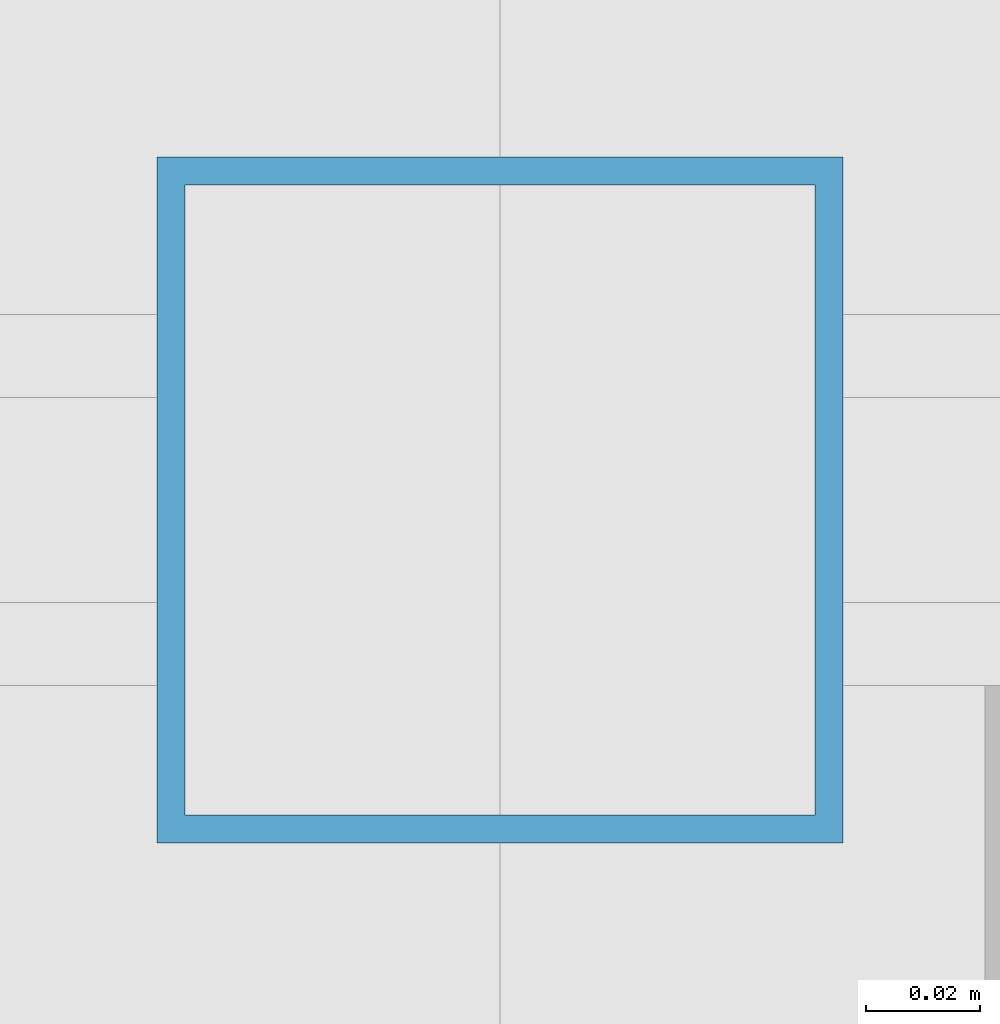
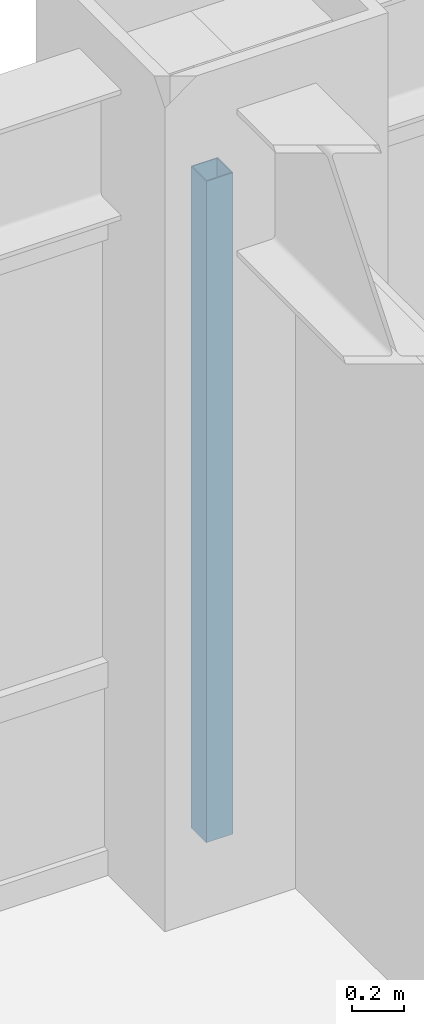
# One storey, part 16 of 25: 1 member, 1 element without a shape of its own.
"""IFC4 building model written with IfcOpenShell, lengths in metres."""

from ifc_helpers import new_model, si_unit, direction, frame, origin, origin_2d, place, context, subcontext, project, spatial, hollow_rectangle, extrude, source, transform, mapped, material, material_profile, profile_set, type_object, element, aggregate, save


model = new_model("IFC4")

# Units and contexts
model_context = context("Model", 3, precision=1e-05, world=origin(), true_north=direction((0.0, 1.0)))
body_context = subcontext(model_context, "Body", "Model", "MODEL_VIEW")
ifc_project = project(units=[si_unit("LENGTHUNIT", "METRE"), si_unit("AREAUNIT", "SQUARE_METRE"), si_unit("VOLUMEUNIT", "CUBIC_METRE"), si_unit("PLANEANGLEUNIT", "RADIAN"), si_unit("MASSUNIT", "GRAM", prefix="KILO")], contexts=[model_context])

# Site, building, storey
site_placement = place(None, origin())
site = spatial("IfcSite", under=ifc_project, at=site_placement, CompositionType="ELEMENT")
building_placement = place(site_placement, origin())
building = spatial("IfcBuilding", under=site, at=building_placement, Name="Khorayat Bourse Tower", CompositionType="ELEMENT")
storey_placement = place(building_placement, frame((0.0, 0.0, 227.10009765625)))
storey = spatial("IfcBuildingStorey", under=building, at=storey_placement, Name="L53", CompositionType="ELEMENT", Elevation=227.10009765625)

# Curtain wall, member
ifc_material = material(Name="Aluminium EN AW-6063 T6", Category="aluminium")
curtain_wall_type = type_object("IfcCurtainWallType", Name="CW-SYS-03", PredefinedType="NOTDEFINED", material=ifc_material)
curtain_wall_placement = place(storey_placement, origin())
curtain_wall = element("IfcCurtainWall", 1, at=curtain_wall_placement, inside=storey, type_object=curtain_wall_type, Name="L53 Curtain Wall CW-L53-N1", PredefinedType="NOTDEFINED")
ifc_material_profile = material_profile(ifc_material, hollow_rectangle(XDim=0.1201171875, YDim=0.1201171875, WallThickness=0.0048828125, at=origin_2d()), Name="ALU 120x120x5")
ifc_profile_set = profile_set([ifc_material_profile], Name="Aluminium EN AW-6063 T6")
member_type = type_object("IfcMemberType", Name="CWM-VERT-120", PredefinedType="MULLION", material=ifc_profile_set)
shared_shape = source(origin(), body_context, "Body", "SweptSolid", [
    extrude(hollow_rectangle(XDim=0.1201171875, YDim=0.1201171875, WallThickness=0.0048828125, at=origin_2d()), origin(), (0.0, 0.0, 1.0), 3.1298828125),
])
member_placement = place(storey_placement, frame((0.0, 30.0, 0.0), z_axis=(0.0, 0.0, 1.0), x_axis=(0.0, 1.0, 0.0)))
member = element("IfcMember", 2, at=member_placement, type_object=member_type, Name="CW-L53-N1 Vertical Mullion 2", PredefinedType="MULLION", context=body_context, shape_type="MappedRepresentation", body=[
    mapped(shared_shape, transform((0.0, 0.0, 0.0), scale=1.0)),
])
aggregate(curtain_wall, [member])

save(model, "model.ifc")
